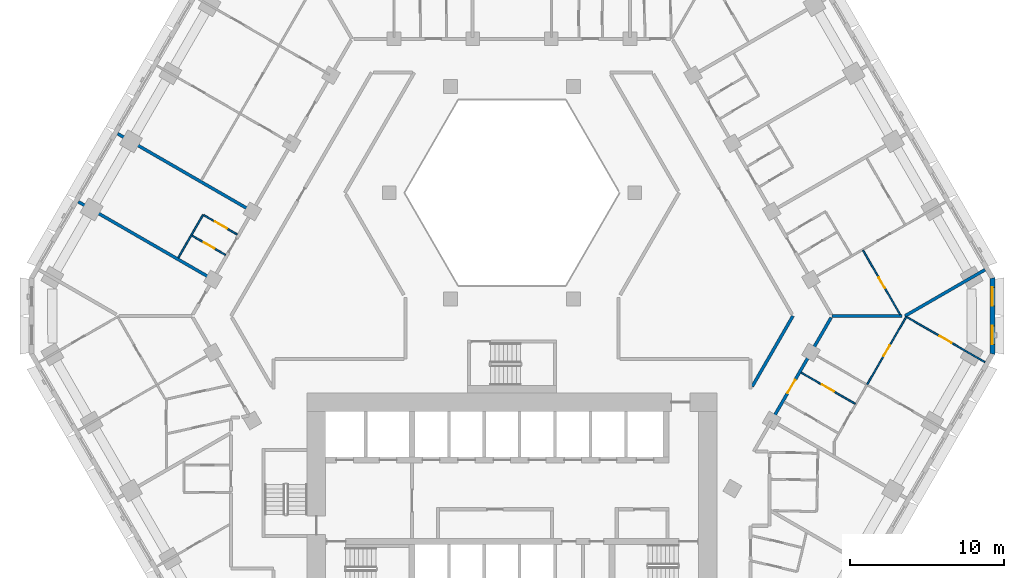
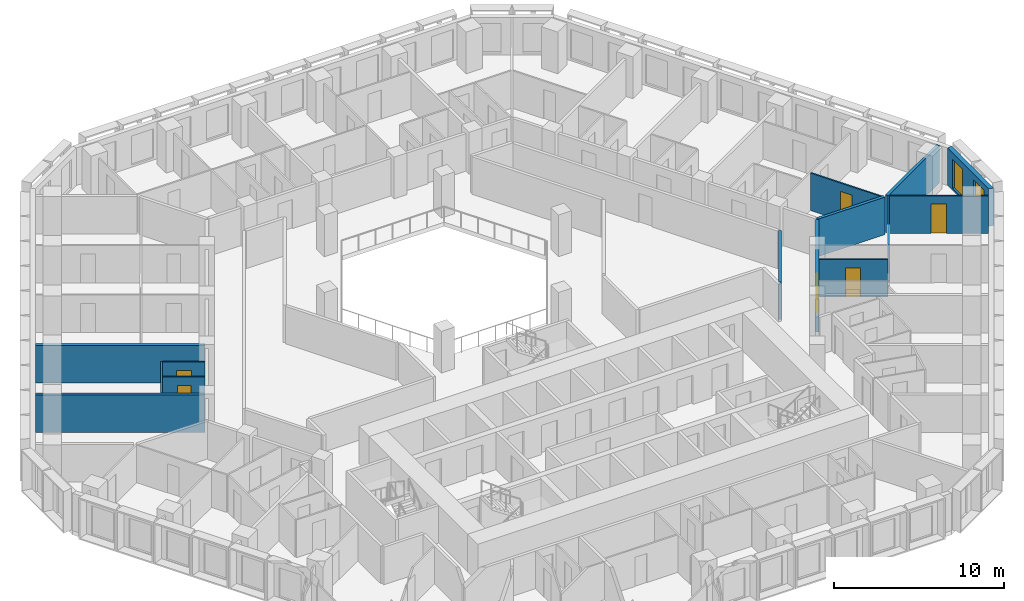
# One storey, part 8 of 21: 14 walls, 7 doors, 2 windows, 9 openings.
"""IFC4 building model written with IfcOpenShell, lengths in metres."""

from ifc_helpers import new_model, si_unit, direction, frame, frame_2d, origin, place, context, subcontext, project, spatial, polyline, rectangle, outline, extrude, material, layer, layer_set, type_object, element, fill, save


model = new_model("IFC4")

# Units and contexts
model_context = context("Model", 3, precision=1e-05, world=origin(), true_north=direction((0.0, 1.0)))
body_context = subcontext(model_context, "Body", "Model", "MODEL_VIEW")
ifc_project = project(units=[si_unit("LENGTHUNIT", "METRE"), si_unit("AREAUNIT", "SQUARE_METRE"), si_unit("VOLUMEUNIT", "CUBIC_METRE"), si_unit("PLANEANGLEUNIT", "RADIAN"), si_unit("MASSUNIT", "GRAM", prefix="KILO")], contexts=[model_context])

# Site, building, storey
site_placement = place(None, origin())
site = spatial("IfcSite", under=ifc_project, at=site_placement, CompositionType="ELEMENT")
building_placement = place(site_placement, origin())
building = spatial("IfcBuilding", under=site, at=building_placement, Name="Beryl Residences", CompositionType="ELEMENT")
storey_placement = place(building_placement, frame((0.0, 0.0, 53.39990234375)))
storey = spatial("IfcBuildingStorey", under=building, at=storey_placement, Name="L16", CompositionType="ELEMENT", Elevation=53.39990234375)

# Wall, openings, windows
ifc_material_1 = material(Name="Composite metal panel with mineral wool insulation")
ifc_layer_1 = layer(ifc_material_1, 0.300048828125)
ifc_layer_set_1 = layer_set([ifc_layer_1], Name="ES1 pale metal composite panel wall 300 mm")
wall_type_1 = type_object("IfcWallType", Name="ES1 pale metal composite panel wall 300 mm", PredefinedType="SOLIDWALL", material=ifc_layer_set_1)
wall_1_placement = place(storey_placement, frame((31.199951171875, -2.5, 0.0), z_axis=(0.0, 0.0, 1.0), x_axis=(0.0, 1.0, 0.0)))
wall_1 = element("IfcWall", 1, at=wall_1_placement, inside=storey, type_object=wall_type_1, Name="ES1 external wall L16 SE-NE", PredefinedType="SOLIDWALL", context=body_context, shape_type="SweptSolid", body=[
    extrude(outline(polyline([(0.0, -0.14990234375), (5.0, -0.14990234375), (4.919677734375, 0.14990234375), (0.080322265625, 0.14990234375), (0.0, -0.14990234375)])), origin(), (0.0, 0.0, 1.0), 2.7001953125),
])
opening_1_placement = place(wall_1_placement, frame((0.64990234375, 0.0, 0.14990234375)))
opening_1 = element("IfcOpeningElement", 2, at=opening_1_placement, cuts=wall_1, Name="Opening W2", PredefinedType="OPENING", context=body_context, shape_type="SweptSolid", body=[
    extrude(rectangle(XDim=1.199951171875, YDim=2.10009765625, at=frame_2d((0.60009765625, 1.050048828125))), frame((0.0, 0.159912109375, 0.0), z_axis=(0.0, -1.0, 0.0), x_axis=(1.0, 0.0, 0.0)), (0.0, 0.0, 1.0), 0.320068359375),
])
opening_2_placement = place(wall_1_placement, frame((3.14990234375, 0.0, 0.14990234375)))
opening_2 = element("IfcOpeningElement", 3, at=opening_2_placement, cuts=wall_1, Name="Opening W2", PredefinedType="OPENING", context=body_context, shape_type="SweptSolid", body=[
    extrude(rectangle(XDim=1.199951171875, YDim=2.10009765625, at=frame_2d((0.60009765625, 1.050048828125))), frame((0.0, 0.159912109375, 0.0), z_axis=(0.0, -1.0, 0.0), x_axis=(1.0, 0.0, 0.0)), (0.0, 0.0, 1.0), 0.320068359375),
])
ifc_material_2 = material(Name="Aluminium and clear glass", Category="aluminium")
window_type = type_object("IfcWindowType", Name="W2 chamfer window 1200 x 2100 mm", PartitioningType="SINGLE_PANEL", PredefinedType="WINDOW", material=ifc_material_2)
window_1_placement = place(opening_1_placement, origin())
window_1 = element("IfcWindow", 4, at=window_1_placement, inside=storey, type_object=window_type, Name="W2 window L16 SE-NE 1", OverallHeight=2.10009765625, OverallWidth=1.199951171875, PartitioningType="SINGLE_PANEL", PredefinedType="WINDOW", context=body_context, shape_type="SweptSolid", body=[
    extrude(rectangle(XDim=1.199951171875, YDim=2.10009765625, at=frame_2d((0.60009765625, 1.050048828125))), frame((0.0, 0.030029296875, 0.0), z_axis=(0.0, -1.0, 0.0), x_axis=(1.0, 0.0, 0.0)), (0.0, 0.0, 1.0), 0.06005859375),
])
fill(opening_1, window_1)
window_2_placement = place(opening_2_placement, origin())
window_2 = element("IfcWindow", 5, at=window_2_placement, inside=storey, type_object=window_type, Name="W2 window L16 SE-NE 2", OverallHeight=2.10009765625, OverallWidth=1.199951171875, PartitioningType="SINGLE_PANEL", PredefinedType="WINDOW", context=body_context, shape_type="SweptSolid", body=[
    extrude(rectangle(XDim=1.199951171875, YDim=2.10009765625, at=frame_2d((0.60009765625, 1.050048828125))), frame((0.0, 0.030029296875, 0.0), z_axis=(0.0, -1.0, 0.0), x_axis=(1.0, 0.0, 0.0)), (0.0, 0.0, 1.0), 0.06005859375),
])
fill(opening_2, window_2)

# Wall, opening, door
ifc_material_3 = material(Name="Gypsum board partition on steel studs", Category="steel")
ifc_layer_2 = layer(ifc_material_3, 0.10009765625)
ifc_layer_set_2 = layer_set([ifc_layer_2], Name="PT1 partition 100 mm gypsum board on steel studs")
wall_type_2 = type_object("IfcWallType", Name="PT1 partition 100 mm gypsum board on steel studs", PredefinedType="PARTITIONING", material=ifc_layer_set_2)
wall_2_placement = place(storey_placement, frame((22.7958984375, 4.263916015625, 0.0), z_axis=(0.0, 0.0, 1.0), x_axis=(0.500099052605, -0.865968208183, 0.0)))
wall_2 = element("IfcWall", 6, at=wall_2_placement, inside=storey, type_object=wall_type_2, Name="Wall PT1 L16 005", PredefinedType="PARTITIONING", context=body_context, shape_type="SweptSolid", body=[
    extrude(rectangle(XDim=4.80712890625, YDim=0.10009765625, at=frame_2d((2.403564453125, 0.0))), origin(), (0.0, 0.0, 1.0), 2.7001953125),
])
opening_3_placement = place(wall_2_placement, frame((2.037109375, 0.0, 0.0)))
opening_3 = element("IfcOpeningElement", 7, at=opening_3_placement, cuts=wall_2, Name="Opening D0256", PredefinedType="OPENING", context=body_context, shape_type="SweptSolid", body=[
    extrude(rectangle(XDim=0.800048828125, YDim=2.10009765625, at=frame_2d((0.39990234375, 1.050048828125))), frame((0.0, 0.06005859375, 0.0), z_axis=(0.0, -1.0, 0.0), x_axis=(1.0, 0.0, 0.0)), (0.0, 0.0, 1.0), 0.1201171875),
])
ifc_material_4 = material(Name="Timber door leaf", Category="wood")
door_type_1 = type_object("IfcDoorType", Name="D3 bathroom door 800 x 2100 mm", OperationType="SINGLE_SWING_LEFT", PredefinedType="DOOR", material=ifc_material_4)
door_1_placement = place(opening_3_placement, origin())
door_1 = element("IfcDoor", 8, at=door_1_placement, inside=storey, type_object=door_type_1, Name="Door D0256 L16 001", OperationType="SINGLE_SWING_RIGHT", OverallHeight=2.10009765625, OverallWidth=0.800048828125, PredefinedType="DOOR", context=body_context, shape_type="SweptSolid", body=[
    extrude(rectangle(XDim=0.800048828125, YDim=2.10009765625, at=frame_2d((0.39990234375, 1.050048828125))), frame((0.0, 0.02490234375, 0.0), z_axis=(0.0, -1.0, 0.0), x_axis=(1.0, 0.0, 0.0)), (0.0, 0.0, 1.0), 0.050048828125),
])
fill(opening_3, door_1)

wall_3_placement = place(storey_placement, frame((-20.01708984375, 6.547119140625, 0.0), z_axis=(0.0, 0.0, 1.0), x_axis=(0.865940918122, -0.500146304917, 0.0)))
wall_3 = element("IfcWall", 9, at=wall_3_placement, inside=storey, type_object=wall_type_2, Name="Wall PT1 L16 020", PredefinedType="PARTITIONING", context=body_context, shape_type="SweptSolid", body=[
    extrude(rectangle(XDim=2.509521484375, YDim=0.10009765625, at=frame_2d((1.2548828125, 0.0))), origin(), (0.0, 0.0, 1.0), 2.7001953125),
])
opening_4_placement = place(wall_3_placement, frame((0.8291015625, 0.0, 0.0)))
opening_4 = element("IfcOpeningElement", 10, at=opening_4_placement, cuts=wall_3, Name="Opening D0208", PredefinedType="OPENING", context=body_context, shape_type="SweptSolid", body=[
    extrude(rectangle(XDim=0.89990234375, YDim=2.10009765625, at=frame_2d((0.449951171875, 1.050048828125))), frame((0.0, 0.06005859375, 0.0), z_axis=(0.0, -1.0, 0.0), x_axis=(1.0, 0.0, 0.0)), (0.0, 0.0, 1.0), 0.1201171875),
])
ifc_material_5 = material(Name="Timber door leaf", Category="wood")
door_type_2 = type_object("IfcDoorType", Name="D2 room door 900 x 2100 mm", OperationType="SINGLE_SWING_LEFT", PredefinedType="DOOR", material=ifc_material_5)
door_2_placement = place(opening_4_placement, origin())
door_2 = element("IfcDoor", 11, at=door_2_placement, inside=storey, type_object=door_type_2, Name="Door D0208 L16 001", OperationType="SINGLE_SWING_RIGHT", OverallHeight=2.10009765625, OverallWidth=0.89990234375, PredefinedType="DOOR", context=body_context, shape_type="SweptSolid", body=[
    extrude(rectangle(XDim=0.89990234375, YDim=2.10009765625, at=frame_2d((0.449951171875, 1.050048828125))), frame((0.0, 0.02490234375, 0.0), z_axis=(0.0, -1.0, 0.0), x_axis=(1.0, 0.0, 0.0)), (0.0, 0.0, 1.0), 0.050048828125),
])
fill(opening_4, door_2)

wall_4_placement = place(storey_placement, frame((-20.782958984375, 5.220947265625, 0.0), z_axis=(0.0, 0.0, 1.0), x_axis=(0.865958718457, -0.500115484592, 0.0)))
wall_4 = element("IfcWall", 12, at=wall_4_placement, inside=storey, type_object=wall_type_2, Name="Wall PT1 L16 021", PredefinedType="PARTITIONING", context=body_context, shape_type="SweptSolid", body=[
    extrude(rectangle(XDim=2.50927734375, YDim=0.10009765625, at=frame_2d((1.254638671875, 0.0))), origin(), (0.0, 0.0, 1.0), 2.7001953125),
])
opening_5_placement = place(wall_4_placement, frame((0.8798828125, 0.0, 0.0)))
opening_5 = element("IfcOpeningElement", 13, at=opening_5_placement, cuts=wall_4, Name="Opening D0209", PredefinedType="OPENING", context=body_context, shape_type="SweptSolid", body=[
    extrude(rectangle(XDim=0.800048828125, YDim=2.10009765625, at=frame_2d((0.39990234375, 1.050048828125))), frame((0.0, 0.06005859375, 0.0), z_axis=(0.0, -1.0, 0.0), x_axis=(1.0, 0.0, 0.0)), (0.0, 0.0, 1.0), 0.1201171875),
])
door_3_placement = place(opening_5_placement, origin())
door_3 = element("IfcDoor", 14, at=door_3_placement, inside=storey, type_object=door_type_1, Name="Door D0209 L16 001", OperationType="SINGLE_SWING_LEFT", OverallHeight=2.10009765625, OverallWidth=0.800048828125, PredefinedType="DOOR", context=body_context, shape_type="SweptSolid", body=[
    extrude(rectangle(XDim=0.800048828125, YDim=2.10009765625, at=frame_2d((0.39990234375, 1.050048828125))), frame((0.0, 0.02490234375, 0.0), z_axis=(0.0, -1.0, 0.0), x_axis=(1.0, 0.0, 0.0)), (0.0, 0.0, 1.0), 0.050048828125),
])
fill(opening_5, door_3)

wall_5_placement = place(storey_placement, frame((18.777099609375, -3.677001953125, 0.0), z_axis=(0.0, 0.0, 1.0), x_axis=(0.866000843773, -0.500042536776, 0.0)))
wall_5 = element("IfcWall", 15, at=wall_5_placement, inside=storey, type_object=wall_type_2, Name="Wall PT1 L16 023", PredefinedType="PARTITIONING", context=body_context, shape_type="SweptSolid", body=[
    extrude(rectangle(XDim=4.049560546875, YDim=0.10009765625, at=frame_2d((2.02490234375, 0.0))), origin(), (0.0, 0.0, 1.0), 2.7001953125),
])
opening_6_placement = place(wall_5_placement, frame((1.550048828125, 0.0, 0.0)))
opening_6 = element("IfcOpeningElement", 16, at=opening_6_placement, cuts=wall_5, Name="Opening D0246", PredefinedType="OPENING", context=body_context, shape_type="SweptSolid", body=[
    extrude(rectangle(XDim=0.89990234375, YDim=2.10009765625, at=frame_2d((0.449951171875, 1.050048828125))), frame((0.0, 0.06005859375, 0.0), z_axis=(0.0, -1.0, 0.0), x_axis=(1.0, 0.0, 0.0)), (0.0, 0.0, 1.0), 0.1201171875),
])
door_4_placement = place(opening_6_placement, origin())
door_4 = element("IfcDoor", 17, at=door_4_placement, inside=storey, type_object=door_type_2, Name="Door D0246 L16 001", OperationType="SINGLE_SWING_RIGHT", OverallHeight=2.10009765625, OverallWidth=0.89990234375, PredefinedType="DOOR", context=body_context, shape_type="SweptSolid", body=[
    extrude(rectangle(XDim=0.89990234375, YDim=2.10009765625, at=frame_2d((0.449951171875, 1.050048828125))), frame((0.0, 0.02490234375, 0.0), z_axis=(0.0, -1.0, 0.0), x_axis=(1.0, 0.0, 0.0)), (0.0, 0.0, 1.0), 0.050048828125),
])
fill(opening_6, door_4)

wall_6_placement = place(storey_placement, frame((25.64892578125, -0.073974609375, 0.0), z_axis=(0.0, 0.0, 1.0), x_axis=(0.866059819573, -0.499940385368, 0.0)))
wall_6 = element("IfcWall", 18, at=wall_6_placement, inside=storey, type_object=wall_type_2, Name="Wall PT1 L16 026", PredefinedType="PARTITIONING", context=body_context, shape_type="SweptSolid", body=[
    extrude(rectangle(XDim=5.850830078125, YDim=0.10009765625, at=frame_2d((2.92529296875, 0.0))), origin(), (0.0, 0.0, 1.0), 2.7001953125),
])
opening_7_placement = place(wall_6_placement, frame((2.449951171875, 0.0, 0.0)))
opening_7 = element("IfcOpeningElement", 19, at=opening_7_placement, cuts=wall_6, Name="Opening D0249", PredefinedType="OPENING", context=body_context, shape_type="SweptSolid", body=[
    extrude(rectangle(XDim=0.89990234375, YDim=2.10009765625, at=frame_2d((0.449951171875, 1.050048828125))), frame((0.0, 0.06005859375, 0.0), z_axis=(0.0, -1.0, 0.0), x_axis=(1.0, 0.0, 0.0)), (0.0, 0.0, 1.0), 0.1201171875),
])
door_5_placement = place(opening_7_placement, origin())
door_5 = element("IfcDoor", 20, at=door_5_placement, inside=storey, type_object=door_type_2, Name="Door D0249 L16 001", OperationType="SINGLE_SWING_LEFT", OverallHeight=2.10009765625, OverallWidth=0.89990234375, PredefinedType="DOOR", context=body_context, shape_type="SweptSolid", body=[
    extrude(rectangle(XDim=0.89990234375, YDim=2.10009765625, at=frame_2d((0.449951171875, 1.050048828125))), frame((0.0, 0.02490234375, 0.0), z_axis=(0.0, -1.0, 0.0), x_axis=(1.0, 0.0, 0.0)), (0.0, 0.0, 1.0), 0.050048828125),
])
fill(opening_7, door_5)

# Wall
wall_7_placement = place(storey_placement, frame((-21.6689453125, 3.787109375, 0.0), z_axis=(0.0, 0.0, 1.0), x_axis=(0.499913121084, 0.86607555754, 0.0)))
element("IfcWall", 21, at=wall_7_placement, inside=storey, type_object=wall_type_2, Name="Wall PT1 L16 042", PredefinedType="PARTITIONING", context=body_context, shape_type="SweptSolid", body=[
    extrude(rectangle(XDim=3.21435546875, YDim=0.10009765625, at=frame_2d((1.607177734375, 0.0))), origin(), (0.0, 0.0, 1.0), 2.7001953125),
])

# Wall, opening, door
wall_8_placement = place(storey_placement, frame((23.053955078125, -4.468994140625, 0.0), z_axis=(0.0, 0.0, 1.0), x_axis=(0.500023345639, 0.866011924754, 0.0)))
wall_8 = element("IfcWall", 22, at=wall_8_placement, inside=storey, type_object=wall_type_2, Name="Wall PT1 L16 077", PredefinedType="PARTITIONING", context=body_context, shape_type="SweptSolid", body=[
    extrude(rectangle(XDim=5.103759765625, YDim=0.10009765625, at=frame_2d((2.5517578125, 0.0))), origin(), (0.0, 0.0, 1.0), 2.7001953125),
])
opening_8_placement = place(wall_8_placement, frame((2.152099609375, 0.0, 0.0)))
opening_8 = element("IfcOpeningElement", 23, at=opening_8_placement, cuts=wall_8, Name="Opening D0250", PredefinedType="OPENING", context=body_context, shape_type="SweptSolid", body=[
    extrude(rectangle(XDim=0.800048828125, YDim=2.10009765625, at=frame_2d((0.39990234375, 1.050048828125))), frame((0.0, 0.06005859375, 0.0), z_axis=(0.0, -1.0, 0.0), x_axis=(1.0, 0.0, 0.0)), (0.0, 0.0, 1.0), 0.1201171875),
])
door_6_placement = place(opening_8_placement, origin())
door_6 = element("IfcDoor", 24, at=door_6_placement, inside=storey, type_object=door_type_1, Name="Door D0250 L16 001", OperationType="SINGLE_SWING_RIGHT", OverallHeight=2.10009765625, OverallWidth=0.800048828125, PredefinedType="DOOR", context=body_context, shape_type="SweptSolid", body=[
    extrude(rectangle(XDim=0.800048828125, YDim=2.10009765625, at=frame_2d((0.39990234375, 1.050048828125))), frame((0.0, 0.02490234375, 0.0), z_axis=(0.0, -1.0, 0.0), x_axis=(1.0, 0.0, 0.0)), (0.0, 0.0, 1.0), 0.050048828125),
])
fill(opening_8, door_6)

# Walls
ifc_material_6 = material(Name="Acoustic double stud gypsum board wall")
ifc_layer_3 = layer(ifc_material_6, 0.199951171875)
ifc_layer_set_3 = layer_set([ifc_layer_3], Name="PT3 party wall 200 mm acoustic double stud")
wall_type_3 = type_object("IfcWallType", Name="PT3 party wall 200 mm acoustic double stud", PredefinedType="PARTITIONING", material=ifc_layer_set_3)
for number, where, z_axis, x_axis, name in (
    (25, (-28.1630859375, 7.4189453125, 0.0), (0.0, 0.0, 1.0), (0.866022959057, -0.500004234368, 0.0), "Wall PT3 L16 007"),
    (26, (-25.611083984375, 11.839111328125, 0.0), (0.0, 0.0, 1.0), (0.866022959057, -0.500004234368, 0.0), "Wall PT3 L16 010"),
):
    element("IfcWall", number, at=place(storey_placement, frame(where, z_axis=z_axis, x_axis=x_axis)), inside=storey, type_object=wall_type_3, Name=name, PredefinedType="PARTITIONING", context=body_context, shape_type="SweptSolid", body=[
        extrude(rectangle(XDim=10.0, YDim=0.199951171875, at=frame_2d((5.0, 0.0))), origin(), (0.0, 0.0, 1.0), 2.7001953125),
    ])
wall_9_placement = place(storey_placement, frame((20.783935546875, 0.0009765625, 0.0), z_axis=(0.0, 0.0, 1.0), x_axis=(1.0, 0.0, 0.0)))
element("IfcWall", 27, at=wall_9_placement, inside=storey, type_object=wall_type_3, Name="Wall PT3 L16 015", PredefinedType="PARTITIONING", context=body_context, shape_type="SweptSolid", body=[
    extrude(rectangle(XDim=4.5361328125, YDim=0.199951171875, at=frame_2d((2.26806640625, 0.0))), origin(), (0.0, 0.0, 1.0), 2.7001953125),
])
wall_10_placement = place(storey_placement, frame((25.51904296875, 0.0009765625, 0.0), z_axis=(0.0, 0.0, 1.0), x_axis=(0.86609140076, 0.499885672459, 0.0)))
element("IfcWall", 28, at=wall_10_placement, inside=storey, type_object=wall_type_3, Name="Wall PT3 L16 025", PredefinedType="PARTITIONING", context=body_context, shape_type="SweptSolid", body=[
    extrude(rectangle(XDim=5.99951171875, YDim=0.199951171875, at=frame_2d((2.999755859375, 0.0))), origin(), (0.0, 0.0, 1.0), 2.7001953125),
])
ifc_material_7 = material(Name="Double stud gypsum board wall")
ifc_layer_4 = layer(ifc_material_7, 0.199951171875)
ifc_layer_set_4 = layer_set([ifc_layer_4], Name="PT4 corridor wall 200 mm double stud")
wall_type_4 = type_object("IfcWallType", Name="PT4 corridor wall 200 mm double stud", PredefinedType="PARTITIONING", material=ifc_layer_set_4)
wall_11_placement = place(storey_placement, frame((15.60009765625, -4.5791015625, 0.0), z_axis=(0.0, 0.0, 1.0), x_axis=(0.499927597274, 0.866067201483, 0.0)))
element("IfcWall", 29, at=wall_11_placement, inside=storey, type_object=wall_type_4, Name="Wall PT4 L16 021", PredefinedType="PARTITIONING", context=body_context, shape_type="SweptSolid", body=[
    extrude(rectangle(XDim=5.288330078125, YDim=0.199951171875, at=frame_2d((2.64404296875, 0.0))), origin(), (0.0, 0.0, 1.0), 2.7001953125),
])

# Wall, opening, door
wall_12_placement = place(storey_placement, frame((16.864013671875, -6.7890625, 0.0), z_axis=(0.0, 0.0, 1.0), x_axis=(0.500058020612, 0.865991902977, 0.0)))
wall_12 = element("IfcWall", 30, at=wall_12_placement, inside=storey, type_object=wall_type_4, Name="Wall PT4 L16 023", PredefinedType="PARTITIONING", context=body_context, shape_type="SweptSolid", body=[
    extrude(rectangle(XDim=7.72509765625, YDim=0.199951171875, at=frame_2d((3.862548828125, 0.0))), origin(), (0.0, 0.0, 1.0), 2.7001953125),
])
opening_9_placement = place(wall_12_placement, frame((2.052001953125, 0.0, 0.0)))
opening_9 = element("IfcOpeningElement", 31, at=opening_9_placement, cuts=wall_12, Name="Opening D0244", PredefinedType="OPENING", context=body_context, shape_type="SweptSolid", body=[
    extrude(rectangle(XDim=1.0, YDim=2.10009765625, at=frame_2d((0.5, 1.050048828125))), frame((0.0, 0.10986328125, 0.0), z_axis=(0.0, -1.0, 0.0), x_axis=(1.0, 0.0, 0.0)), (0.0, 0.0, 1.0), 0.219970703125),
])
ifc_material_8 = material(Name="Timber door leaf", Category="wood")
door_type_3 = type_object("IfcDoorType", Name="D1 flat entrance door 1000 x 2100 mm", OperationType="SINGLE_SWING_LEFT", PredefinedType="DOOR", material=ifc_material_8)
door_7_placement = place(opening_9_placement, origin())
door_7 = element("IfcDoor", 32, at=door_7_placement, inside=storey, type_object=door_type_3, Name="Door D0244 L16 001", OperationType="SINGLE_SWING_RIGHT", OverallHeight=2.10009765625, OverallWidth=1.0, PredefinedType="DOOR", context=body_context, shape_type="SweptSolid", body=[
    extrude(rectangle(XDim=1.0, YDim=2.10009765625, at=frame_2d((0.5, 1.050048828125))), frame((0.0, 0.02490234375, 0.0), z_axis=(0.0, -1.0, 0.0), x_axis=(1.0, 0.0, 0.0)), (0.0, 0.0, 1.0), 0.050048828125),
])
fill(opening_9, door_7)

save(model, "model.ifc")
